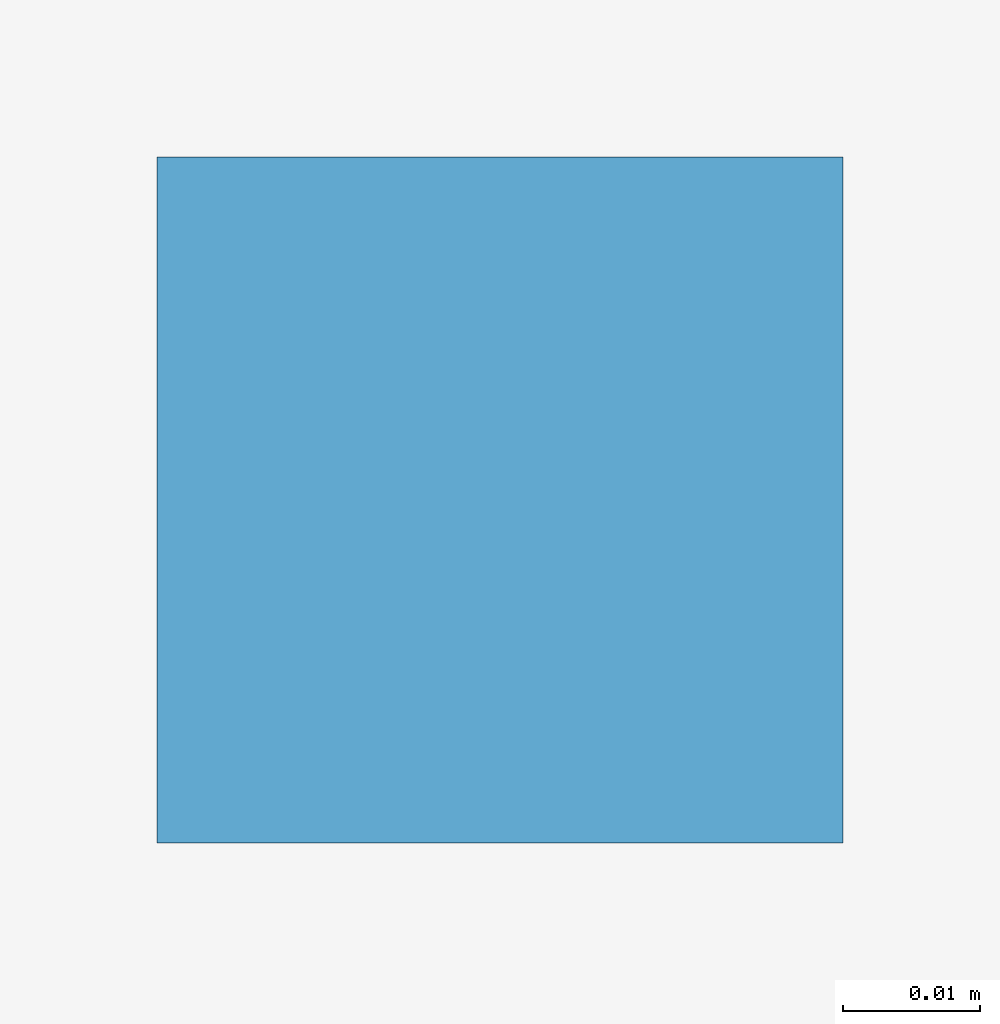
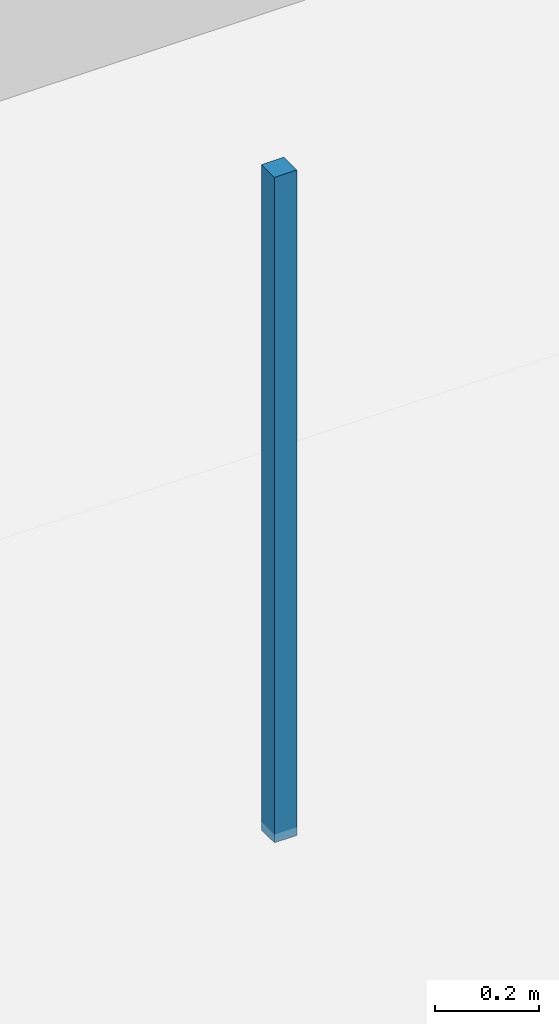
# One storey, part 44 of 56: 1 discrete accessory.
"""IFC4 building model written with IfcOpenShell, lengths in metres."""

from ifc_helpers import new_model, si_unit, direction, frame, origin, origin_2d, place, context, subcontext, project, spatial, rectangle, extrude, material, type_object, element, save


model = new_model("IFC4")

# Units and contexts
model_context = context("Model", 3, precision=1e-05, world=origin(), true_north=direction((0.0, 1.0)))
body_context = subcontext(model_context, "Body", "Model", "MODEL_VIEW")
ifc_project = project(units=[si_unit("LENGTHUNIT", "METRE"), si_unit("AREAUNIT", "SQUARE_METRE"), si_unit("VOLUMEUNIT", "CUBIC_METRE"), si_unit("PLANEANGLEUNIT", "RADIAN"), si_unit("MASSUNIT", "GRAM", prefix="KILO")], contexts=[model_context])

# Site, building, storey
site_placement = place(None, origin())
site = spatial("IfcSite", under=ifc_project, at=site_placement, CompositionType="ELEMENT")
building_placement = place(site_placement, origin())
building = spatial("IfcBuilding", under=site, at=building_placement, Name="Kazehaya Institute of Natural Sciences", CompositionType="ELEMENT")
storey_placement = place(building_placement, origin())
storey = spatial("IfcBuildingStorey", under=building, at=storey_placement, Name="L00", CompositionType="ELEMENT", Elevation=0.0)

# Discrete accessory
ifc_material = material(Name="Structural steel SN490B", Category="steel")
discrete_accessory_type = type_object("IfcDiscreteAccessoryType", Name="ACC-CLG-HGR", PredefinedType="BRACKET", material=ifc_material)
discrete_accessory_placement = place(storey_placement, frame((138.300048828125, 12.10009765625, 3.75244140625), z_axis=(0.0, 0.0, 1.0), x_axis=(1.0, 0.0, 0.0)))
element("IfcDiscreteAccessory", 1, at=discrete_accessory_placement, inside=storey, type_object=discrete_accessory_type, Name="L00 ceiling suspension hanger 8", PredefinedType="BRACKET", context=body_context, shape_type="SweptSolid", body=[
    extrude(rectangle(XDim=0.050048828125, YDim=0.050048828125, at=origin_2d()), origin(), (0.0, 0.0, 1.0), 1.5673828125),
])

save(model, "model.ifc")
